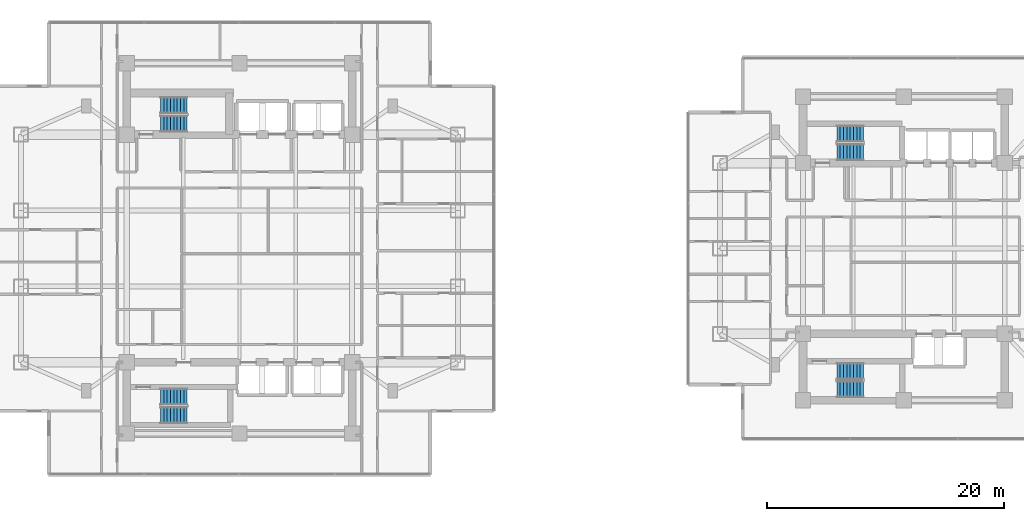
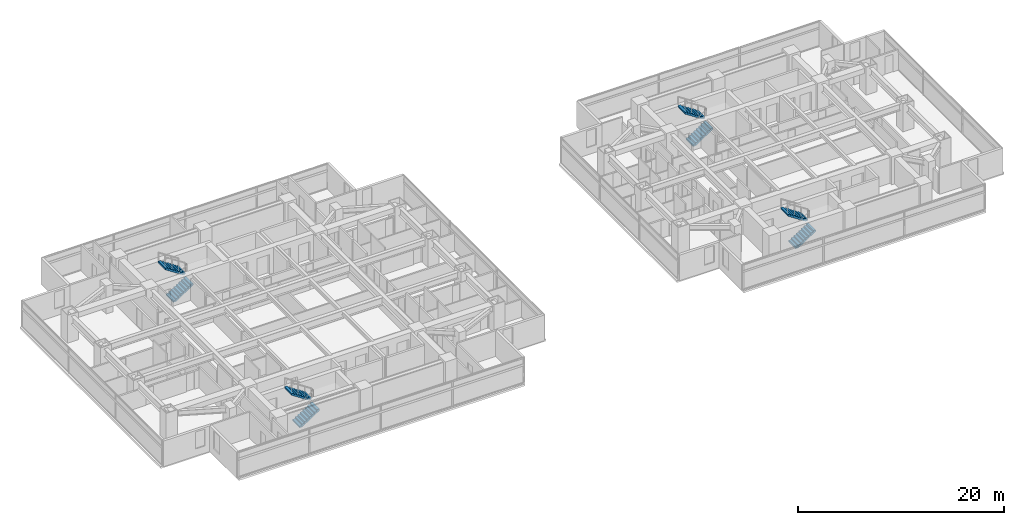
# One storey, part 18 of 24: 8 stair flights, 4 elements without a shape of their own.
"""IFC4 building model written with IfcOpenShell, lengths in metres."""

from ifc_helpers import new_model, si_unit, direction, frame, origin, place, context, subcontext, project, spatial, polyline, outline, extrude, material, type_object, element, aggregate, save


model = new_model("IFC4")

# Units and contexts
model_context = context("Model", 3, precision=1e-05, world=origin(), true_north=direction((0.0, 1.0)))
body_context = subcontext(model_context, "Body", "Model", "MODEL_VIEW")
ifc_project = project(units=[si_unit("LENGTHUNIT", "METRE"), si_unit("AREAUNIT", "SQUARE_METRE"), si_unit("VOLUMEUNIT", "CUBIC_METRE"), si_unit("PLANEANGLEUNIT", "RADIAN"), si_unit("MASSUNIT", "GRAM", prefix="KILO")], contexts=[model_context])

# Site, building, storey
site_placement = place(None, origin())
site = spatial("IfcSite", under=ifc_project, at=site_placement, CompositionType="ELEMENT")
building_placement = place(site_placement, origin())
building = spatial("IfcBuilding", under=site, at=building_placement, Name="Mirazonda Arch Towers", CompositionType="ELEMENT")
storey_placement = place(building_placement, frame((0.0, 0.0, 62.0)))
storey = spatial("IfcBuildingStorey", under=building, at=storey_placement, Name="L17", CompositionType="ELEMENT", Elevation=62.0)

# Stair, stair flights
ifc_material = material(Name="Concrete C40/50", Category="concrete")
stair_type = type_object("IfcStairType", Name="STAIR-CORE-1400", PredefinedType="HALF_TURN_STAIR", material=ifc_material)
stair_1_placement = place(storey_placement, origin())
stair_1 = element("IfcStair", 1, at=stair_1_placement, inside=storey, type_object=stair_type, Name="L17 Protected Exit Stair ST-T1N", PredefinedType="HALF_TURN_STAIR")
stair_flight_type = type_object("IfcStairFlightType", Name="FLIGHT-1400", PredefinedType="STRAIGHT", material=ifc_material)
stair_flight_1_placement = place(storey_placement, frame((13.85009765625, 38.52001953125, 0.0), z_axis=(0.0, 0.0, 1.0), x_axis=(1.0, 0.0, 0.0)))
stair_flight_1 = element("IfcStairFlight", 2, at=stair_flight_1_placement, type_object=stair_flight_type, Name="ST-T1N flight 1", NumberOfRisers=9, NumberOfTreads=8, PredefinedType="STRAIGHT", RiserHeight=0.183333333, TreadLength=0.28, context=body_context, shape_type="SweptSolid", body=[
    extrude(outline(polyline([(0.0, 0.0), (0.0, 0.183349609375), (0.280029296875, 0.183349609375), (0.280029296875, 0.36669921875), (0.56005859375, 0.36669921875), (0.56005859375, 0.550048828125), (0.840087890625, 0.550048828125), (0.840087890625, 0.7333984375), (1.1201171875, 0.7333984375), (1.1201171875, 0.916748046875), (1.39990234375, 0.916748046875), (1.39990234375, 1.10009765625), (1.679931640625, 1.10009765625), (1.679931640625, 1.283447265625), (1.9599609375, 1.283447265625), (1.9599609375, 1.466552734375), (2.239990234375, 1.466552734375), (2.239990234375, 1.64990234375), (2.239990234375, 1.275634765625), (0.2919921875, 0.0), (0.0, 0.0)])), frame((0.0, 0.699951171875, 0.0), z_axis=(0.0, -1.0, 0.0), x_axis=(1.0, 0.0, 0.0)), (0.0, 0.0, 1.0), 1.39990234375),
])
stair_flight_2_placement = place(storey_placement, frame((16.090087890625, 40.06005859375, 1.64990234375), z_axis=(0.0, 0.0, 1.0), x_axis=(-1.0, 0.0, 0.0)))
stair_flight_2 = element("IfcStairFlight", 3, at=stair_flight_2_placement, type_object=stair_flight_type, Name="ST-T1N flight 2", NumberOfRisers=9, NumberOfTreads=8, PredefinedType="STRAIGHT", RiserHeight=0.183333333, TreadLength=0.28, context=body_context, shape_type="SweptSolid", body=[
    extrude(outline(polyline([(0.0, 0.0), (0.0, 0.183349609375), (0.280029296875, 0.183349609375), (0.280029296875, 0.36669921875), (0.56005859375, 0.36669921875), (0.56005859375, 0.550048828125), (0.840087890625, 0.550048828125), (0.840087890625, 0.7333984375), (1.1201171875, 0.7333984375), (1.1201171875, 0.916748046875), (1.39990234375, 0.916748046875), (1.39990234375, 1.10009765625), (1.679931640625, 1.10009765625), (1.679931640625, 1.283447265625), (1.9599609375, 1.283447265625), (1.9599609375, 1.466552734375), (2.239990234375, 1.466552734375), (2.239990234375, 1.64990234375), (2.239990234375, 1.275634765625), (0.2919921875, 0.0), (0.0, 0.0)])), frame((0.0, 0.699951171875, 0.0), z_axis=(0.0, -1.0, 0.0), x_axis=(1.0, 0.0, 0.0)), (0.0, 0.0, 1.0), 1.39990234375),
])
aggregate(stair_1, [stair_flight_1, stair_flight_2])

stair_2_placement = place(storey_placement, origin())
stair_2 = element("IfcStair", 4, at=stair_2_placement, inside=storey, type_object=stair_type, Name="L17 Protected Exit Stair ST-T1S", PredefinedType="HALF_TURN_STAIR")
stair_flight_3_placement = place(storey_placement, frame((13.85009765625, 13.949951171875, 0.0), z_axis=(0.0, 0.0, 1.0), x_axis=(1.0, 0.0, 0.0)))
stair_flight_3 = element("IfcStairFlight", 5, at=stair_flight_3_placement, type_object=stair_flight_type, Name="ST-T1S flight 1", NumberOfRisers=9, NumberOfTreads=8, PredefinedType="STRAIGHT", RiserHeight=0.183333333, TreadLength=0.28, context=body_context, shape_type="SweptSolid", body=[
    extrude(outline(polyline([(0.0, 0.0), (0.0, 0.183349609375), (0.280029296875, 0.183349609375), (0.280029296875, 0.36669921875), (0.56005859375, 0.36669921875), (0.56005859375, 0.550048828125), (0.840087890625, 0.550048828125), (0.840087890625, 0.7333984375), (1.1201171875, 0.7333984375), (1.1201171875, 0.916748046875), (1.39990234375, 0.916748046875), (1.39990234375, 1.10009765625), (1.679931640625, 1.10009765625), (1.679931640625, 1.283447265625), (1.9599609375, 1.283447265625), (1.9599609375, 1.466552734375), (2.239990234375, 1.466552734375), (2.239990234375, 1.64990234375), (2.239990234375, 1.275634765625), (0.2919921875, 0.0), (0.0, 0.0)])), frame((0.0, 0.699951171875, 0.0), z_axis=(0.0, -1.0, 0.0), x_axis=(1.0, 0.0, 0.0)), (0.0, 0.0, 1.0), 1.39990234375),
])
stair_flight_4_placement = place(storey_placement, frame((16.090087890625, 15.489990234375, 1.64990234375), z_axis=(0.0, 0.0, 1.0), x_axis=(-1.0, 0.0, 0.0)))
stair_flight_4 = element("IfcStairFlight", 6, at=stair_flight_4_placement, type_object=stair_flight_type, Name="ST-T1S flight 2", NumberOfRisers=9, NumberOfTreads=8, PredefinedType="STRAIGHT", RiserHeight=0.183333333, TreadLength=0.28, context=body_context, shape_type="SweptSolid", body=[
    extrude(outline(polyline([(0.0, 0.0), (0.0, 0.183349609375), (0.280029296875, 0.183349609375), (0.280029296875, 0.36669921875), (0.56005859375, 0.36669921875), (0.56005859375, 0.550048828125), (0.840087890625, 0.550048828125), (0.840087890625, 0.7333984375), (1.1201171875, 0.7333984375), (1.1201171875, 0.916748046875), (1.39990234375, 0.916748046875), (1.39990234375, 1.10009765625), (1.679931640625, 1.10009765625), (1.679931640625, 1.283447265625), (1.9599609375, 1.283447265625), (1.9599609375, 1.466552734375), (2.239990234375, 1.466552734375), (2.239990234375, 1.64990234375), (2.239990234375, 1.275634765625), (0.2919921875, 0.0), (0.0, 0.0)])), frame((0.0, 0.699951171875, 0.0), z_axis=(0.0, -1.0, 0.0), x_axis=(1.0, 0.0, 0.0)), (0.0, 0.0, 1.0), 1.39990234375),
])
aggregate(stair_2, [stair_flight_3, stair_flight_4])

stair_3_placement = place(storey_placement, origin())
stair_3 = element("IfcStair", 7, at=stair_3_placement, inside=storey, type_object=stair_type, Name="L17 Protected Exit Stair ST-T2N", PredefinedType="HALF_TURN_STAIR")
stair_flight_5_placement = place(storey_placement, frame((70.85009765625, 36.1201171875, 0.0), z_axis=(0.0, 0.0, 1.0), x_axis=(1.0, 0.0, 0.0)))
stair_flight_5 = element("IfcStairFlight", 8, at=stair_flight_5_placement, type_object=stair_flight_type, Name="ST-T2N flight 1", NumberOfRisers=9, NumberOfTreads=8, PredefinedType="STRAIGHT", RiserHeight=0.183333333, TreadLength=0.28, context=body_context, shape_type="SweptSolid", body=[
    extrude(outline(polyline([(0.0, 0.0), (0.0, 0.183349609375), (0.280029296875, 0.183349609375), (0.280029296875, 0.36669921875), (0.56005859375, 0.36669921875), (0.56005859375, 0.550048828125), (0.840087890625, 0.550048828125), (0.840087890625, 0.7333984375), (1.1201171875, 0.7333984375), (1.1201171875, 0.916748046875), (1.39990234375, 0.916748046875), (1.39990234375, 1.10009765625), (1.679931640625, 1.10009765625), (1.679931640625, 1.283447265625), (1.9599609375, 1.283447265625), (1.9599609375, 1.466552734375), (2.239990234375, 1.466552734375), (2.239990234375, 1.64990234375), (2.239990234375, 1.275634765625), (0.2919921875, 0.0), (0.0, 0.0)])), frame((0.0, 0.699951171875, 0.0), z_axis=(0.0, -1.0, 0.0), x_axis=(1.0, 0.0, 0.0)), (0.0, 0.0, 1.0), 1.39990234375),
])
stair_flight_6_placement = place(storey_placement, frame((73.090087890625, 37.659912109375, 1.64990234375), z_axis=(0.0, 0.0, 1.0), x_axis=(-1.0, 0.0, 0.0)))
stair_flight_6 = element("IfcStairFlight", 9, at=stair_flight_6_placement, type_object=stair_flight_type, Name="ST-T2N flight 2", NumberOfRisers=9, NumberOfTreads=8, PredefinedType="STRAIGHT", RiserHeight=0.183333333, TreadLength=0.28, context=body_context, shape_type="SweptSolid", body=[
    extrude(outline(polyline([(0.0, 0.0), (0.0, 0.183349609375), (0.280029296875, 0.183349609375), (0.280029296875, 0.36669921875), (0.56005859375, 0.36669921875), (0.56005859375, 0.550048828125), (0.840087890625, 0.550048828125), (0.840087890625, 0.7333984375), (1.1201171875, 0.7333984375), (1.1201171875, 0.916748046875), (1.39990234375, 0.916748046875), (1.39990234375, 1.10009765625), (1.679931640625, 1.10009765625), (1.679931640625, 1.283447265625), (1.9599609375, 1.283447265625), (1.9599609375, 1.466552734375), (2.239990234375, 1.466552734375), (2.239990234375, 1.64990234375), (2.239990234375, 1.275634765625), (0.2919921875, 0.0), (0.0, 0.0)])), frame((0.0, 0.699951171875, 0.0), z_axis=(0.0, -1.0, 0.0), x_axis=(1.0, 0.0, 0.0)), (0.0, 0.0, 1.0), 1.39990234375),
])
aggregate(stair_3, [stair_flight_5, stair_flight_6])

stair_4_placement = place(storey_placement, origin())
stair_4 = element("IfcStair", 10, at=stair_4_placement, inside=storey, type_object=stair_type, Name="L17 Protected Exit Stair ST-T2S", PredefinedType="HALF_TURN_STAIR")
stair_flight_7_placement = place(storey_placement, frame((70.85009765625, 16.1201171875, 0.0), z_axis=(0.0, 0.0, 1.0), x_axis=(1.0, 0.0, 0.0)))
stair_flight_7 = element("IfcStairFlight", 11, at=stair_flight_7_placement, type_object=stair_flight_type, Name="ST-T2S flight 1", NumberOfRisers=9, NumberOfTreads=8, PredefinedType="STRAIGHT", RiserHeight=0.183333333, TreadLength=0.28, context=body_context, shape_type="SweptSolid", body=[
    extrude(outline(polyline([(0.0, 0.0), (0.0, 0.183349609375), (0.280029296875, 0.183349609375), (0.280029296875, 0.36669921875), (0.56005859375, 0.36669921875), (0.56005859375, 0.550048828125), (0.840087890625, 0.550048828125), (0.840087890625, 0.7333984375), (1.1201171875, 0.7333984375), (1.1201171875, 0.916748046875), (1.39990234375, 0.916748046875), (1.39990234375, 1.10009765625), (1.679931640625, 1.10009765625), (1.679931640625, 1.283447265625), (1.9599609375, 1.283447265625), (1.9599609375, 1.466552734375), (2.239990234375, 1.466552734375), (2.239990234375, 1.64990234375), (2.239990234375, 1.275634765625), (0.2919921875, 0.0), (0.0, 0.0)])), frame((0.0, 0.699951171875, 0.0), z_axis=(0.0, -1.0, 0.0), x_axis=(1.0, 0.0, 0.0)), (0.0, 0.0, 1.0), 1.39990234375),
])
stair_flight_8_placement = place(storey_placement, frame((73.090087890625, 17.659912109375, 1.64990234375), z_axis=(0.0, 0.0, 1.0), x_axis=(-1.0, 0.0, 0.0)))
stair_flight_8 = element("IfcStairFlight", 12, at=stair_flight_8_placement, type_object=stair_flight_type, Name="ST-T2S flight 2", NumberOfRisers=9, NumberOfTreads=8, PredefinedType="STRAIGHT", RiserHeight=0.183333333, TreadLength=0.28, context=body_context, shape_type="SweptSolid", body=[
    extrude(outline(polyline([(0.0, 0.0), (0.0, 0.183349609375), (0.280029296875, 0.183349609375), (0.280029296875, 0.36669921875), (0.56005859375, 0.36669921875), (0.56005859375, 0.550048828125), (0.840087890625, 0.550048828125), (0.840087890625, 0.7333984375), (1.1201171875, 0.7333984375), (1.1201171875, 0.916748046875), (1.39990234375, 0.916748046875), (1.39990234375, 1.10009765625), (1.679931640625, 1.10009765625), (1.679931640625, 1.283447265625), (1.9599609375, 1.283447265625), (1.9599609375, 1.466552734375), (2.239990234375, 1.466552734375), (2.239990234375, 1.64990234375), (2.239990234375, 1.275634765625), (0.2919921875, 0.0), (0.0, 0.0)])), frame((0.0, 0.699951171875, 0.0), z_axis=(0.0, -1.0, 0.0), x_axis=(1.0, 0.0, 0.0)), (0.0, 0.0, 1.0), 1.39990234375),
])
aggregate(stair_4, [stair_flight_7, stair_flight_8])

save(model, "model.ifc")
